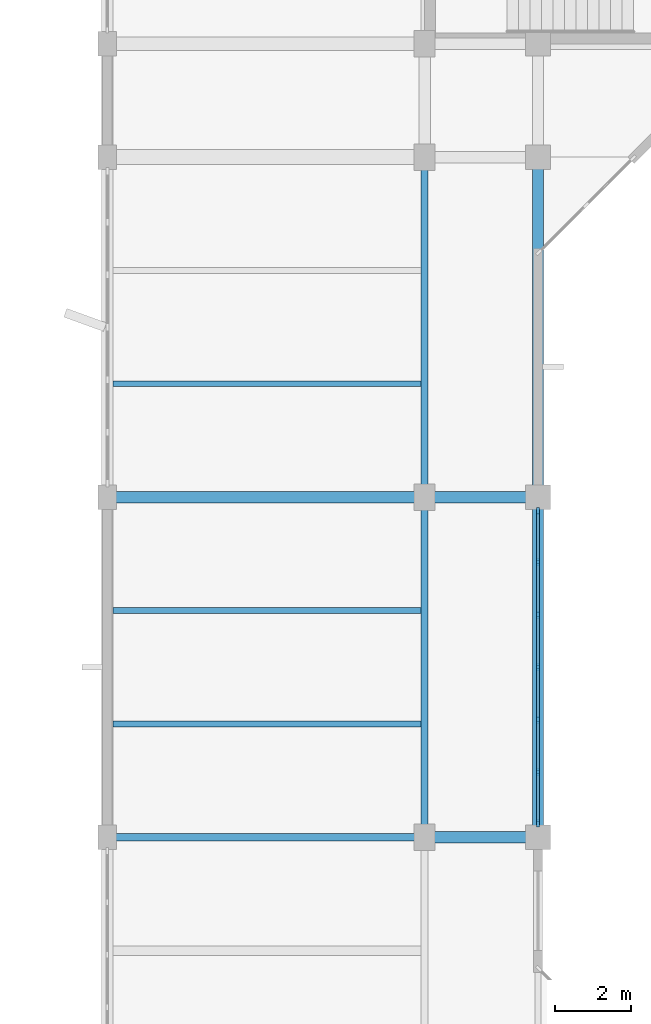
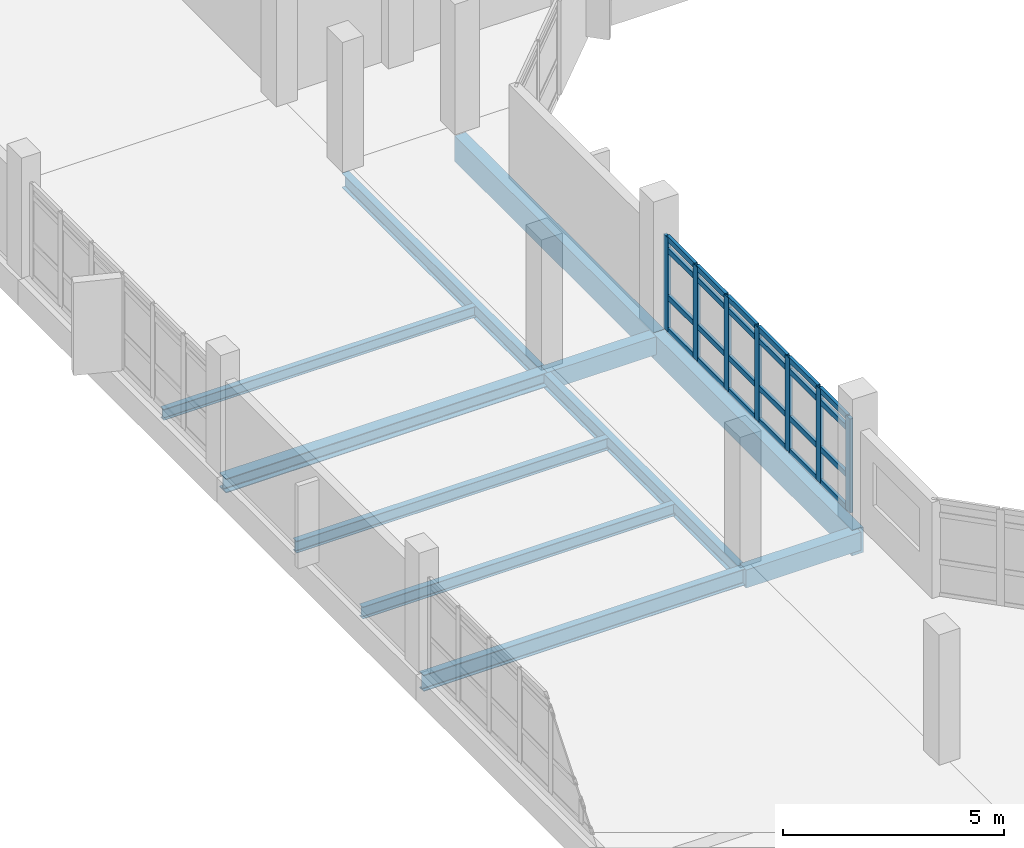
# One storey, part 14 of 104: 31 members, 11 beams, 1 element without a shape of its own.
"""IFC4 building model written with IfcOpenShell, lengths in metres."""

from ifc_helpers import new_model, si_unit, direction, frame, origin, origin_2d, place, context, subcontext, project, spatial, rectangle, i_section, extrude, material, material_profile, profile_set, type_object, element, aggregate, save


model = new_model("IFC4")

# Units and contexts
model_context = context("Model", 3, precision=1e-05, world=origin(), true_north=direction((0.0, 1.0)))
body_context = subcontext(model_context, "Body", "Model", "MODEL_VIEW")
ifc_project = project(units=[si_unit("LENGTHUNIT", "METRE"), si_unit("AREAUNIT", "SQUARE_METRE"), si_unit("VOLUMEUNIT", "CUBIC_METRE"), si_unit("PLANEANGLEUNIT", "RADIAN"), si_unit("MASSUNIT", "GRAM", prefix="KILO")], contexts=[model_context])

# Site, building, storey
site_placement = place(None, origin())
site = spatial("IfcSite", under=ifc_project, at=site_placement, CompositionType="ELEMENT")
building_placement = place(site_placement, origin())
building = spatial("IfcBuilding", under=site, at=building_placement, Name="Vanh Quang Courtyard School", CompositionType="ELEMENT")
storey_placement = place(building_placement, frame((0.0, 0.0, 4.199951171875)))
storey = spatial("IfcBuildingStorey", under=building, at=storey_placement, Name="L01", CompositionType="ELEMENT", Elevation=4.199951171875)

# Beams
ifc_material_1 = material(Name="Concrete C35/45", Category="concrete")
ifc_material_profile_1 = material_profile(ifc_material_1, rectangle(XDim=0.300048828125, YDim=0.5, at=origin_2d()), Name="RC-BM 300x500")
ifc_profile_set_1 = profile_set([ifc_material_profile_1], Name="Concrete C35/45")
beam_type_1 = type_object("IfcBeamType", Name="BM-RC-300x500", PredefinedType="BEAM", material=ifc_profile_set_1)
for number, where, z_axis, x_axis, name in (
    (1, (37.800048828125, 50.39990234375, -0.530029296875), (1.0, 0.0, 0.0), (0.0, 1.0, 0.0), "Beam B-08 (L01)"),
    (2, (37.800048828125, 59.39990234375, -0.530029296875), (1.0, 0.0, 0.0), (0.0, 1.0, 0.0), "Beam B-08 (L01)"),
):
    element("IfcBeam", number, at=place(storey_placement, frame(where, z_axis=z_axis, x_axis=x_axis)), inside=storey, type_object=beam_type_1, Name=name, PredefinedType="BEAM", context=body_context, shape_type="SweptSolid", body=[
        extrude(rectangle(XDim=0.300048828125, YDim=0.5, at=origin_2d()), origin(), (0.0, 0.0, 1.0), 3.0),
    ])
ifc_material_profile_2 = material_profile(ifc_material_1, rectangle(XDim=0.300048828125, YDim=0.699951171875, at=origin_2d()), Name="RC-SP 300x700")
ifc_profile_set_2 = profile_set([ifc_material_profile_2], Name="Concrete C35/45")
beam_type_2 = type_object("IfcBeamType", Name="BM-SP-300x700", PredefinedType="SPANDREL", material=ifc_profile_set_2)
for number, where, z_axis, x_axis, name in (
    (3, (40.800048828125, 50.39990234375, -0.6298828125), (0.0, 1.0, 0.0), (-1.0, 0.0, 0.0), "Beam BS-01 (L01)"),
    (4, (40.800048828125, 59.39990234375, -0.6298828125), (0.0, 1.0, 0.0), (-1.0, 0.0, 0.0), "Beam BS-01 (L01)"),
):
    element("IfcBeam", number, at=place(storey_placement, frame(where, z_axis=z_axis, x_axis=x_axis)), inside=storey, type_object=beam_type_2, Name=name, PredefinedType="SPANDREL", context=body_context, shape_type="SweptSolid", body=[
        extrude(rectangle(XDim=0.300048828125, YDim=0.699951171875, at=origin_2d()), origin(), (0.0, 0.0, 1.0), 9.0),
    ])
ifc_material_2 = material(Name="Structural steel EN 10025-2 S355J2", Category="steel")
ifc_material_profile_3 = material_profile(ifc_material_2, i_section(OverallWidth=0.300048828125, OverallDepth=0.389892578125, WebThickness=0.010986328125, FlangeThickness=0.01904296875, FilletRadius=0.027099609375, at=origin_2d()), Name="HEA 400")
ifc_profile_set_3 = profile_set([ifc_material_profile_3], Name="Structural steel EN 10025-2 S355J2")
beam_type_3 = type_object("IfcBeamType", Name="BM-STL-HEA400", PredefinedType="BEAM", material=ifc_profile_set_3)
beam_1_placement = place(storey_placement, frame((29.39990234375, 59.39990234375, -0.474853515625), z_axis=(1.0, 0.0, 0.0), x_axis=(0.0, 1.0, 0.0)))
element("IfcBeam", 5, at=beam_1_placement, inside=storey, type_object=beam_type_3, Name="Beam SB-08 (L01)", PredefinedType="BEAM", context=body_context, shape_type="SweptSolid", body=[
    extrude(i_section(OverallWidth=0.300048828125, OverallDepth=0.389892578125, WebThickness=0.010986328125, FlangeThickness=0.01904296875, FilletRadius=0.027099609375, at=origin_2d()), origin(), (0.0, 0.0, 1.0), 8.400146484375),
])
ifc_material_profile_4 = material_profile(ifc_material_2, i_section(OverallWidth=0.179931640625, OverallDepth=0.39990234375, WebThickness=0.008544921875, FlangeThickness=0.013427734375, FilletRadius=0.02099609375, at=origin_2d()), Name="IPE 400")
ifc_profile_set_4 = profile_set([ifc_material_profile_4], Name="Structural steel EN 10025-2 S355J2")
beam_type_4 = type_object("IfcBeamType", Name="BM-STL-IPE400", PredefinedType="BEAM", material=ifc_profile_set_4)
for number, where, z_axis, x_axis, name in (
    (6, (37.800048828125, 50.39990234375, -0.47998046875), (0.0, 1.0, 0.0), (-1.0, 0.0, 0.0), "Beam SB-05 (L01)"),
    (7, (37.800048828125, 59.39990234375, -0.47998046875), (0.0, 1.0, 0.0), (-1.0, 0.0, 0.0), "Beam SB-05 (L01)"),
):
    element("IfcBeam", number, at=place(storey_placement, frame(where, z_axis=z_axis, x_axis=x_axis)), inside=storey, type_object=beam_type_4, Name=name, PredefinedType="BEAM", context=body_context, shape_type="SweptSolid", body=[
        extrude(i_section(OverallWidth=0.179931640625, OverallDepth=0.39990234375, WebThickness=0.008544921875, FlangeThickness=0.013427734375, FilletRadius=0.02099609375, at=origin_2d()), origin(), (0.0, 0.0, 1.0), 9.0),
    ])
ifc_material_profile_5 = material_profile(ifc_material_2, i_section(OverallWidth=0.18994140625, OverallDepth=0.449951171875, WebThickness=0.009521484375, FlangeThickness=0.0146484375, FilletRadius=0.02099609375, at=origin_2d()), Name="IPE 450")
ifc_profile_set_5 = profile_set([ifc_material_profile_5], Name="Structural steel EN 10025-2 S355J2")
beam_type_5 = type_object("IfcBeamType", Name="BM-STL-IPE450", PredefinedType="BEAM", material=ifc_profile_set_5)
beam_2_placement = place(storey_placement, frame((29.39990234375, 50.39990234375, -0.5048828125), z_axis=(1.0, 0.0, 0.0), x_axis=(0.0, 1.0, 0.0)))
element("IfcBeam", 8, at=beam_2_placement, inside=storey, type_object=beam_type_5, Name="Beam SB-04 (L01)", PredefinedType="BEAM", context=body_context, shape_type="SweptSolid", body=[
    extrude(i_section(OverallWidth=0.18994140625, OverallDepth=0.449951171875, WebThickness=0.009521484375, FlangeThickness=0.0146484375, FilletRadius=0.02099609375, at=origin_2d()), origin(), (0.0, 0.0, 1.0), 8.400146484375),
])

# Curtain wall, members
ifc_material_3 = material(Name="Thermally broken aluminium unitised curtain wall", Category="aluminium")
curtain_wall_type = type_object("IfcCurtainWallType", Name="CW-SYS-20", PredefinedType="NOTDEFINED", material=ifc_material_3)
curtain_wall_placement = place(storey_placement, origin())
curtain_wall = element("IfcCurtainWall", 9, at=curtain_wall_placement, inside=storey, type_object=curtain_wall_type, Name="Curtain Wall CW-20 (L01)", PredefinedType="NOTDEFINED")
ifc_material_4 = material(Name="Anodised aluminium 6063-T6", Category="aluminium")
ifc_material_profile_6 = material_profile(ifc_material_4, rectangle(XDim=0.080078125, YDim=0.199951171875, at=origin_2d()), Name="ALU-MUL 80x200")
ifc_profile_set_6 = profile_set([ifc_material_profile_6], Name="Anodised aluminium 6063-T6")
member_type_1 = type_object("IfcMemberType", Name="CW-MUL-80x200", PredefinedType="MULLION", material=ifc_profile_set_6)
member_1_placement = place(storey_placement, frame((40.800048828125, 59.027099609375, 0.0), z_axis=(0.0, 0.0, 1.0), x_axis=(1.0, 0.0, 0.0)))
member_1 = element("IfcMember", 10, at=member_1_placement, type_object=member_type_1, Name="CW-20 mullion 1", PredefinedType="MULLION", context=body_context, shape_type="SweptSolid", body=[
    extrude(rectangle(XDim=0.080078125, YDim=0.199951171875, at=origin_2d()), origin(), (0.0, 0.0, 1.0), 2.60009765625),
])
member_2_placement = place(storey_placement, frame((40.800048828125, 57.677978515625, 0.0), z_axis=(0.0, 0.0, 1.0), x_axis=(1.0, 0.0, 0.0)))
member_2 = element("IfcMember", 11, at=member_2_placement, type_object=member_type_1, Name="CW-20 mullion 2", PredefinedType="MULLION", context=body_context, shape_type="SweptSolid", body=[
    extrude(rectangle(XDim=0.080078125, YDim=0.199951171875, at=origin_2d()), origin(), (0.0, 0.0, 1.0), 2.60009765625),
])
member_3_placement = place(storey_placement, frame((40.800048828125, 56.2890625, 0.0), z_axis=(0.0, 0.0, 1.0), x_axis=(1.0, 0.0, 0.0)))
member_3 = element("IfcMember", 12, at=member_3_placement, type_object=member_type_1, Name="CW-20 mullion 3", PredefinedType="MULLION", context=body_context, shape_type="SweptSolid", body=[
    extrude(rectangle(XDim=0.080078125, YDim=0.199951171875, at=origin_2d()), origin(), (0.0, 0.0, 1.0), 2.60009765625),
])
member_4_placement = place(storey_placement, frame((40.800048828125, 54.89990234375, 0.0), z_axis=(0.0, 0.0, 1.0), x_axis=(1.0, 0.0, 0.0)))
member_4 = element("IfcMember", 13, at=member_4_placement, type_object=member_type_1, Name="CW-20 mullion 4", PredefinedType="MULLION", context=body_context, shape_type="SweptSolid", body=[
    extrude(rectangle(XDim=0.080078125, YDim=0.199951171875, at=origin_2d()), origin(), (0.0, 0.0, 1.0), 2.60009765625),
])
member_5_placement = place(storey_placement, frame((40.800048828125, 53.510986328125, 0.0), z_axis=(0.0, 0.0, 1.0), x_axis=(1.0, 0.0, 0.0)))
member_5 = element("IfcMember", 14, at=member_5_placement, type_object=member_type_1, Name="CW-20 mullion 5", PredefinedType="MULLION", context=body_context, shape_type="SweptSolid", body=[
    extrude(rectangle(XDim=0.080078125, YDim=0.199951171875, at=origin_2d()), origin(), (0.0, 0.0, 1.0), 2.60009765625),
])
member_6_placement = place(storey_placement, frame((40.800048828125, 52.1220703125, 0.0), z_axis=(0.0, 0.0, 1.0), x_axis=(1.0, 0.0, 0.0)))
member_6 = element("IfcMember", 15, at=member_6_placement, type_object=member_type_1, Name="CW-20 mullion 6", PredefinedType="MULLION", context=body_context, shape_type="SweptSolid", body=[
    extrude(rectangle(XDim=0.080078125, YDim=0.199951171875, at=origin_2d()), origin(), (0.0, 0.0, 1.0), 2.60009765625),
])
member_7_placement = place(storey_placement, frame((40.800048828125, 50.77294921875, 0.0), z_axis=(0.0, 0.0, 1.0), x_axis=(1.0, 0.0, 0.0)))
member_7 = element("IfcMember", 16, at=member_7_placement, type_object=member_type_1, Name="CW-20 mullion 7", PredefinedType="MULLION", context=body_context, shape_type="SweptSolid", body=[
    extrude(rectangle(XDim=0.080078125, YDim=0.199951171875, at=origin_2d()), origin(), (0.0, 0.0, 1.0), 2.60009765625),
])
ifc_material_profile_7 = material_profile(ifc_material_4, rectangle(XDim=0.080078125, YDim=0.14990234375, at=origin_2d()), Name="ALU-TRN 80x150")
ifc_profile_set_7 = profile_set([ifc_material_profile_7], Name="Anodised aluminium 6063-T6")
member_type_2 = type_object("IfcMemberType", Name="CW-TRN-80x150", PredefinedType="USERDEFINED", material=ifc_profile_set_7)
member_8_placement = place(storey_placement, frame((40.800048828125, 58.987060546875, 0.0400390625), z_axis=(0.0, -1.0, 0.0), x_axis=(1.0, 0.0, 0.0)))
member_8 = element("IfcMember", 17, at=member_8_placement, type_object=member_type_2, Name="CW-20 transom 1.1", ObjectType="TRANSOM", PredefinedType="USERDEFINED", context=body_context, shape_type="SweptSolid", body=[
    extrude(rectangle(XDim=0.080078125, YDim=0.14990234375, at=origin_2d()), origin(), (0.0, 0.0, 1.0), 1.26904296875),
])
member_9_placement = place(storey_placement, frame((40.800048828125, 58.987060546875, 0.949951171875), z_axis=(0.0, -1.0, 0.0), x_axis=(1.0, 0.0, 0.0)))
member_9 = element("IfcMember", 18, at=member_9_placement, type_object=member_type_2, Name="CW-20 transom 1.2", ObjectType="TRANSOM", PredefinedType="USERDEFINED", context=body_context, shape_type="SweptSolid", body=[
    extrude(rectangle(XDim=0.080078125, YDim=0.14990234375, at=origin_2d()), origin(), (0.0, 0.0, 1.0), 1.26904296875),
])
member_10_placement = place(storey_placement, frame((40.800048828125, 58.987060546875, 2.25), z_axis=(0.0, -1.0, 0.0), x_axis=(1.0, 0.0, 0.0)))
member_10 = element("IfcMember", 19, at=member_10_placement, type_object=member_type_2, Name="CW-20 transom 1.3", ObjectType="TRANSOM", PredefinedType="USERDEFINED", context=body_context, shape_type="SweptSolid", body=[
    extrude(rectangle(XDim=0.080078125, YDim=0.14990234375, at=origin_2d()), origin(), (0.0, 0.0, 1.0), 1.26904296875),
])
member_11_placement = place(storey_placement, frame((40.800048828125, 58.987060546875, 2.56005859375), z_axis=(0.0, -1.0, 0.0), x_axis=(1.0, 0.0, 0.0)))
member_11 = element("IfcMember", 20, at=member_11_placement, type_object=member_type_2, Name="CW-20 transom 1.4", ObjectType="TRANSOM", PredefinedType="USERDEFINED", context=body_context, shape_type="SweptSolid", body=[
    extrude(rectangle(XDim=0.080078125, YDim=0.14990234375, at=origin_2d()), origin(), (0.0, 0.0, 1.0), 1.26904296875),
])
member_12_placement = place(storey_placement, frame((40.800048828125, 57.637939453125, 0.0400390625), z_axis=(0.0, -1.0, 0.0), x_axis=(1.0, 0.0, 0.0)))
member_12 = element("IfcMember", 21, at=member_12_placement, type_object=member_type_2, Name="CW-20 transom 2.1", ObjectType="TRANSOM", PredefinedType="USERDEFINED", context=body_context, shape_type="SweptSolid", body=[
    extrude(rectangle(XDim=0.080078125, YDim=0.14990234375, at=origin_2d()), origin(), (0.0, 0.0, 1.0), 1.308837890625),
])
member_13_placement = place(storey_placement, frame((40.800048828125, 57.637939453125, 0.949951171875), z_axis=(0.0, -1.0, 0.0), x_axis=(1.0, 0.0, 0.0)))
member_13 = element("IfcMember", 22, at=member_13_placement, type_object=member_type_2, Name="CW-20 transom 2.2", ObjectType="TRANSOM", PredefinedType="USERDEFINED", context=body_context, shape_type="SweptSolid", body=[
    extrude(rectangle(XDim=0.080078125, YDim=0.14990234375, at=origin_2d()), origin(), (0.0, 0.0, 1.0), 1.308837890625),
])
member_14_placement = place(storey_placement, frame((40.800048828125, 57.637939453125, 2.25), z_axis=(0.0, -1.0, 0.0), x_axis=(1.0, 0.0, 0.0)))
member_14 = element("IfcMember", 23, at=member_14_placement, type_object=member_type_2, Name="CW-20 transom 2.3", ObjectType="TRANSOM", PredefinedType="USERDEFINED", context=body_context, shape_type="SweptSolid", body=[
    extrude(rectangle(XDim=0.080078125, YDim=0.14990234375, at=origin_2d()), origin(), (0.0, 0.0, 1.0), 1.308837890625),
])
member_15_placement = place(storey_placement, frame((40.800048828125, 57.637939453125, 2.56005859375), z_axis=(0.0, -1.0, 0.0), x_axis=(1.0, 0.0, 0.0)))
member_15 = element("IfcMember", 24, at=member_15_placement, type_object=member_type_2, Name="CW-20 transom 2.4", ObjectType="TRANSOM", PredefinedType="USERDEFINED", context=body_context, shape_type="SweptSolid", body=[
    extrude(rectangle(XDim=0.080078125, YDim=0.14990234375, at=origin_2d()), origin(), (0.0, 0.0, 1.0), 1.308837890625),
])
member_16_placement = place(storey_placement, frame((40.800048828125, 56.2490234375, 0.0400390625), z_axis=(0.0, -1.0, 0.0), x_axis=(1.0, 0.0, 0.0)))
member_16 = element("IfcMember", 25, at=member_16_placement, type_object=member_type_2, Name="CW-20 transom 3.1", ObjectType="TRANSOM", PredefinedType="USERDEFINED", context=body_context, shape_type="SweptSolid", body=[
    extrude(rectangle(XDim=0.080078125, YDim=0.14990234375, at=origin_2d()), origin(), (0.0, 0.0, 1.0), 1.30908203125),
])
member_17_placement = place(storey_placement, frame((40.800048828125, 56.2490234375, 0.949951171875), z_axis=(0.0, -1.0, 0.0), x_axis=(1.0, 0.0, 0.0)))
member_17 = element("IfcMember", 26, at=member_17_placement, type_object=member_type_2, Name="CW-20 transom 3.2", ObjectType="TRANSOM", PredefinedType="USERDEFINED", context=body_context, shape_type="SweptSolid", body=[
    extrude(rectangle(XDim=0.080078125, YDim=0.14990234375, at=origin_2d()), origin(), (0.0, 0.0, 1.0), 1.30908203125),
])
member_18_placement = place(storey_placement, frame((40.800048828125, 56.2490234375, 2.25), z_axis=(0.0, -1.0, 0.0), x_axis=(1.0, 0.0, 0.0)))
member_18 = element("IfcMember", 27, at=member_18_placement, type_object=member_type_2, Name="CW-20 transom 3.3", ObjectType="TRANSOM", PredefinedType="USERDEFINED", context=body_context, shape_type="SweptSolid", body=[
    extrude(rectangle(XDim=0.080078125, YDim=0.14990234375, at=origin_2d()), origin(), (0.0, 0.0, 1.0), 1.30908203125),
])
member_19_placement = place(storey_placement, frame((40.800048828125, 56.2490234375, 2.56005859375), z_axis=(0.0, -1.0, 0.0), x_axis=(1.0, 0.0, 0.0)))
member_19 = element("IfcMember", 28, at=member_19_placement, type_object=member_type_2, Name="CW-20 transom 3.4", ObjectType="TRANSOM", PredefinedType="USERDEFINED", context=body_context, shape_type="SweptSolid", body=[
    extrude(rectangle(XDim=0.080078125, YDim=0.14990234375, at=origin_2d()), origin(), (0.0, 0.0, 1.0), 1.30908203125),
])
member_20_placement = place(storey_placement, frame((40.800048828125, 54.860107421875, 0.0400390625), z_axis=(0.0, -1.0, 0.0), x_axis=(1.0, 0.0, 0.0)))
member_20 = element("IfcMember", 29, at=member_20_placement, type_object=member_type_2, Name="CW-20 transom 4.1", ObjectType="TRANSOM", PredefinedType="USERDEFINED", context=body_context, shape_type="SweptSolid", body=[
    extrude(rectangle(XDim=0.080078125, YDim=0.14990234375, at=origin_2d()), origin(), (0.0, 0.0, 1.0), 1.30908203125),
])
member_21_placement = place(storey_placement, frame((40.800048828125, 54.860107421875, 0.949951171875), z_axis=(0.0, -1.0, 0.0), x_axis=(1.0, 0.0, 0.0)))
member_21 = element("IfcMember", 30, at=member_21_placement, type_object=member_type_2, Name="CW-20 transom 4.2", ObjectType="TRANSOM", PredefinedType="USERDEFINED", context=body_context, shape_type="SweptSolid", body=[
    extrude(rectangle(XDim=0.080078125, YDim=0.14990234375, at=origin_2d()), origin(), (0.0, 0.0, 1.0), 1.30908203125),
])
member_22_placement = place(storey_placement, frame((40.800048828125, 54.860107421875, 2.25), z_axis=(0.0, -1.0, 0.0), x_axis=(1.0, 0.0, 0.0)))
member_22 = element("IfcMember", 31, at=member_22_placement, type_object=member_type_2, Name="CW-20 transom 4.3", ObjectType="TRANSOM", PredefinedType="USERDEFINED", context=body_context, shape_type="SweptSolid", body=[
    extrude(rectangle(XDim=0.080078125, YDim=0.14990234375, at=origin_2d()), origin(), (0.0, 0.0, 1.0), 1.30908203125),
])
member_23_placement = place(storey_placement, frame((40.800048828125, 54.860107421875, 2.56005859375), z_axis=(0.0, -1.0, 0.0), x_axis=(1.0, 0.0, 0.0)))
member_23 = element("IfcMember", 32, at=member_23_placement, type_object=member_type_2, Name="CW-20 transom 4.4", ObjectType="TRANSOM", PredefinedType="USERDEFINED", context=body_context, shape_type="SweptSolid", body=[
    extrude(rectangle(XDim=0.080078125, YDim=0.14990234375, at=origin_2d()), origin(), (0.0, 0.0, 1.0), 1.30908203125),
])
member_24_placement = place(storey_placement, frame((40.800048828125, 53.470947265625, 0.0400390625), z_axis=(0.0, -1.0, 0.0), x_axis=(1.0, 0.0, 0.0)))
member_24 = element("IfcMember", 33, at=member_24_placement, type_object=member_type_2, Name="CW-20 transom 5.1", ObjectType="TRANSOM", PredefinedType="USERDEFINED", context=body_context, shape_type="SweptSolid", body=[
    extrude(rectangle(XDim=0.080078125, YDim=0.14990234375, at=origin_2d()), origin(), (0.0, 0.0, 1.0), 1.308837890625),
])
member_25_placement = place(storey_placement, frame((40.800048828125, 53.470947265625, 0.949951171875), z_axis=(0.0, -1.0, 0.0), x_axis=(1.0, 0.0, 0.0)))
member_25 = element("IfcMember", 34, at=member_25_placement, type_object=member_type_2, Name="CW-20 transom 5.2", ObjectType="TRANSOM", PredefinedType="USERDEFINED", context=body_context, shape_type="SweptSolid", body=[
    extrude(rectangle(XDim=0.080078125, YDim=0.14990234375, at=origin_2d()), origin(), (0.0, 0.0, 1.0), 1.308837890625),
])
member_26_placement = place(storey_placement, frame((40.800048828125, 53.470947265625, 2.25), z_axis=(0.0, -1.0, 0.0), x_axis=(1.0, 0.0, 0.0)))
member_26 = element("IfcMember", 35, at=member_26_placement, type_object=member_type_2, Name="CW-20 transom 5.3", ObjectType="TRANSOM", PredefinedType="USERDEFINED", context=body_context, shape_type="SweptSolid", body=[
    extrude(rectangle(XDim=0.080078125, YDim=0.14990234375, at=origin_2d()), origin(), (0.0, 0.0, 1.0), 1.308837890625),
])
member_27_placement = place(storey_placement, frame((40.800048828125, 53.470947265625, 2.56005859375), z_axis=(0.0, -1.0, 0.0), x_axis=(1.0, 0.0, 0.0)))
member_27 = element("IfcMember", 36, at=member_27_placement, type_object=member_type_2, Name="CW-20 transom 5.4", ObjectType="TRANSOM", PredefinedType="USERDEFINED", context=body_context, shape_type="SweptSolid", body=[
    extrude(rectangle(XDim=0.080078125, YDim=0.14990234375, at=origin_2d()), origin(), (0.0, 0.0, 1.0), 1.308837890625),
])
member_28_placement = place(storey_placement, frame((40.800048828125, 52.08203125, 0.0400390625), z_axis=(0.0, -1.0, 0.0), x_axis=(1.0, 0.0, 0.0)))
member_28 = element("IfcMember", 37, at=member_28_placement, type_object=member_type_2, Name="CW-20 transom 6.1", ObjectType="TRANSOM", PredefinedType="USERDEFINED", context=body_context, shape_type="SweptSolid", body=[
    extrude(rectangle(XDim=0.080078125, YDim=0.14990234375, at=origin_2d()), origin(), (0.0, 0.0, 1.0), 1.26904296875),
])
member_29_placement = place(storey_placement, frame((40.800048828125, 52.08203125, 0.949951171875), z_axis=(0.0, -1.0, 0.0), x_axis=(1.0, 0.0, 0.0)))
member_29 = element("IfcMember", 38, at=member_29_placement, type_object=member_type_2, Name="CW-20 transom 6.2", ObjectType="TRANSOM", PredefinedType="USERDEFINED", context=body_context, shape_type="SweptSolid", body=[
    extrude(rectangle(XDim=0.080078125, YDim=0.14990234375, at=origin_2d()), origin(), (0.0, 0.0, 1.0), 1.26904296875),
])
member_30_placement = place(storey_placement, frame((40.800048828125, 52.08203125, 2.25), z_axis=(0.0, -1.0, 0.0), x_axis=(1.0, 0.0, 0.0)))
member_30 = element("IfcMember", 39, at=member_30_placement, type_object=member_type_2, Name="CW-20 transom 6.3", ObjectType="TRANSOM", PredefinedType="USERDEFINED", context=body_context, shape_type="SweptSolid", body=[
    extrude(rectangle(XDim=0.080078125, YDim=0.14990234375, at=origin_2d()), origin(), (0.0, 0.0, 1.0), 1.26904296875),
])
member_31_placement = place(storey_placement, frame((40.800048828125, 52.08203125, 2.56005859375), z_axis=(0.0, -1.0, 0.0), x_axis=(1.0, 0.0, 0.0)))
member_31 = element("IfcMember", 40, at=member_31_placement, type_object=member_type_2, Name="CW-20 transom 6.4", ObjectType="TRANSOM", PredefinedType="USERDEFINED", context=body_context, shape_type="SweptSolid", body=[
    extrude(rectangle(XDim=0.080078125, YDim=0.14990234375, at=origin_2d()), origin(), (0.0, 0.0, 1.0), 1.26904296875),
])
aggregate(curtain_wall, [member_1, member_2, member_3, member_4, member_5, member_6, member_7, member_8, member_9, member_10, member_11, member_12, member_13, member_14, member_15, member_16, member_17, member_18, member_19, member_20, member_21, member_22, member_23, member_24, member_25, member_26, member_27, member_28, member_29, member_30, member_31])

# Beams
ifc_material_profile_8 = material_profile(ifc_material_2, i_section(OverallWidth=0.14990234375, OverallDepth=0.300048828125, WebThickness=0.007080078125, FlangeThickness=0.0107421875, FilletRadius=0.014892578125, at=origin_2d()), Name="IPE 300")
ifc_profile_set_8 = profile_set([ifc_material_profile_8], Name="Structural steel EN 10025-2 S355J2")
beam_type_6 = type_object("IfcBeamType", Name="JST-STL-IPE300", PredefinedType="JOIST", material=ifc_profile_set_8)
beam_3_placement = place(storey_placement, frame((29.550048828125, 62.39990234375, -0.429931640625), z_axis=(1.0, 0.0, 0.0), x_axis=(0.0, 1.0, 0.0)))
element("IfcBeam", 41, at=beam_3_placement, inside=storey, type_object=beam_type_6, Name="Beam SJ-02 (L01)", PredefinedType="JOIST", context=body_context, shape_type="SweptSolid", body=[
    extrude(i_section(OverallWidth=0.14990234375, OverallDepth=0.300048828125, WebThickness=0.007080078125, FlangeThickness=0.0107421875, FilletRadius=0.014892578125, at=origin_2d()), origin(), (0.0, 0.0, 1.0), 8.159912109375),
])
ifc_material_profile_9 = material_profile(ifc_material_2, i_section(OverallWidth=0.159912109375, OverallDepth=0.330078125, WebThickness=0.007568359375, FlangeThickness=0.011474609375, FilletRadius=0.01806640625, at=origin_2d()), Name="IPE 330")
ifc_profile_set_9 = profile_set([ifc_material_profile_9], Name="Structural steel EN 10025-2 S355J2")
beam_type_7 = type_object("IfcBeamType", Name="JST-STL-IPE330", PredefinedType="JOIST", material=ifc_profile_set_9)
for number, where, z_axis, x_axis, name in (
    (42, (29.550048828125, 53.39990234375, -0.445068359375), (1.0, 0.0, 0.0), (0.0, 1.0, 0.0), "Beam SJ-01 (L01)"),
    (43, (29.550048828125, 56.39990234375, -0.445068359375), (1.0, 0.0, 0.0), (0.0, 1.0, 0.0), "Beam SJ-01 (L01)"),
):
    element("IfcBeam", number, at=place(storey_placement, frame(where, z_axis=z_axis, x_axis=x_axis)), inside=storey, type_object=beam_type_7, Name=name, PredefinedType="JOIST", context=body_context, shape_type="SweptSolid", body=[
        extrude(i_section(OverallWidth=0.159912109375, OverallDepth=0.330078125, WebThickness=0.007568359375, FlangeThickness=0.011474609375, FilletRadius=0.01806640625, at=origin_2d()), origin(), (0.0, 0.0, 1.0), 8.159912109375),
    ])

save(model, "model.ifc")
